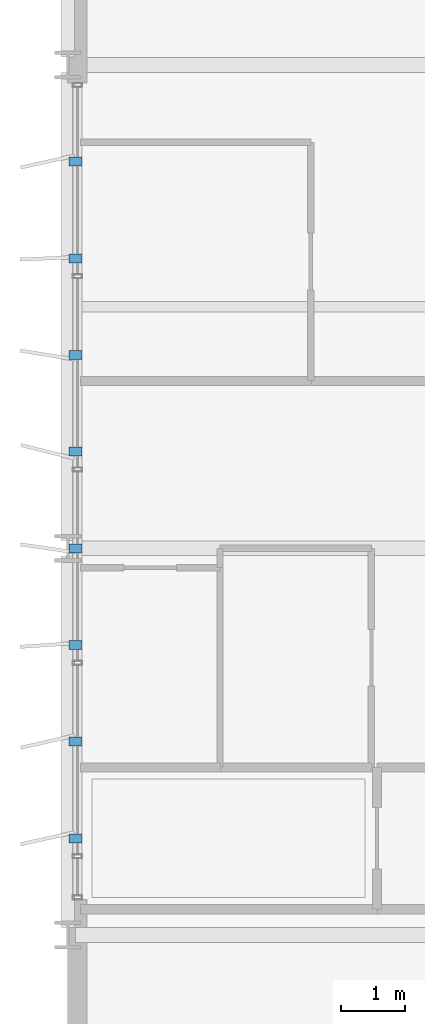
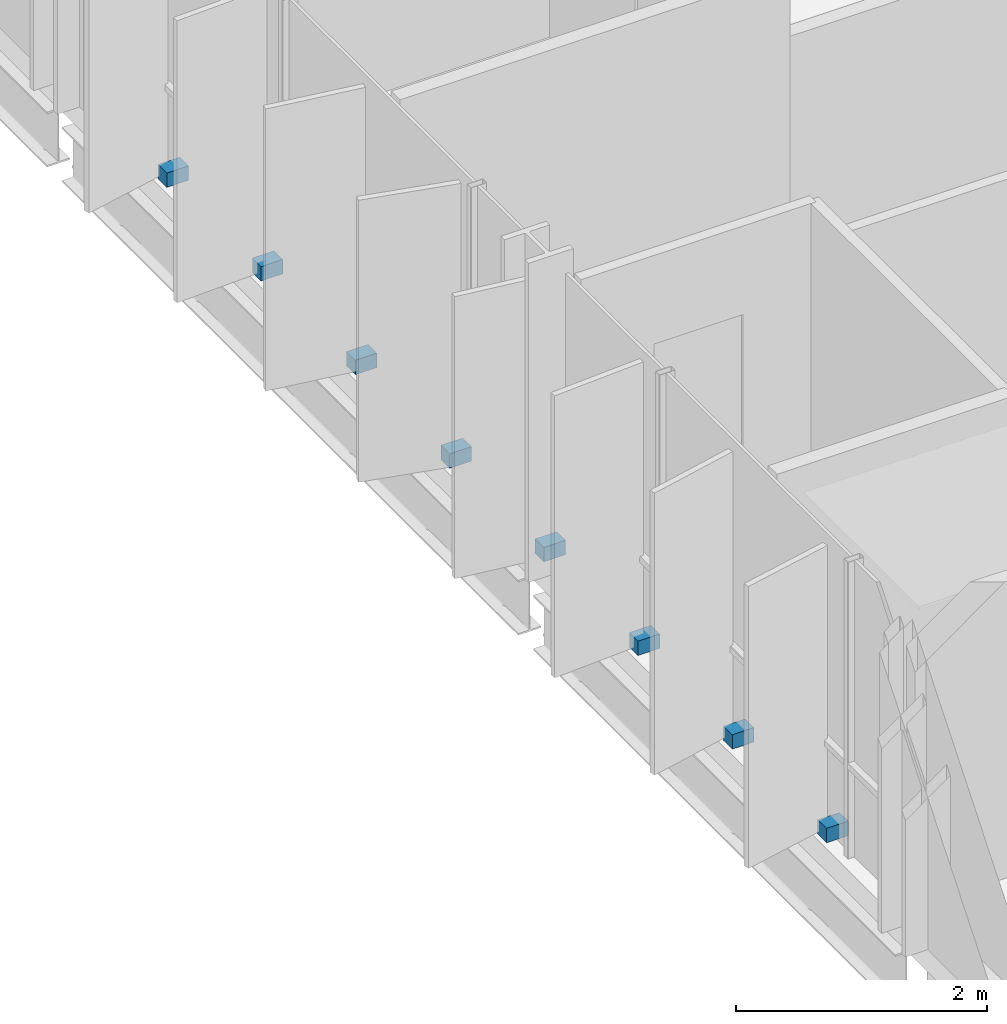
# One storey, part 34 of 39: 8 discrete accessories.
"""IFC4 building model written with IfcOpenShell, lengths in metres."""

from ifc_helpers import new_model, si_unit, direction, frame, origin, origin_2d, place, context, subcontext, project, spatial, rectangle, extrude, material, type_object, element, save


model = new_model("IFC4")

# Units and contexts
model_context = context("Model", 3, precision=1e-05, world=origin(), true_north=direction((0.0, 1.0)))
body_context = subcontext(model_context, "Body", "Model", "MODEL_VIEW")
ifc_project = project(units=[si_unit("LENGTHUNIT", "METRE"), si_unit("AREAUNIT", "SQUARE_METRE"), si_unit("VOLUMEUNIT", "CUBIC_METRE"), si_unit("PLANEANGLEUNIT", "RADIAN"), si_unit("MASSUNIT", "GRAM", prefix="KILO")], contexts=[model_context])

# Site, building, storey
site_placement = place(None, origin())
site = spatial("IfcSite", under=ifc_project, at=site_placement, CompositionType="ELEMENT")
building_placement = place(site_placement, origin())
building = spatial("IfcBuilding", under=site, at=building_placement, Name="Brevholm Reach", CompositionType="ELEMENT")
storey_placement = place(building_placement, frame((0.0, 0.0, 103.5)))
storey = spatial("IfcBuildingStorey", under=building, at=storey_placement, Name="L30", CompositionType="ELEMENT", Elevation=103.5)

# Discrete accessories
ifc_material = material(Name="Duplex Stainless Steel EN 1.4462", Category="steel")
discrete_accessory_type = type_object("IfcDiscreteAccessoryType", Name="ACC-BRK-01", PredefinedType="BRACKET", material=ifc_material)
for number, where, z_axis, x_axis, name in (
    (1, (0.1201171875, 11.5, 0.0302734375), (0.0, 0.0, 1.0), (-1.0, 0.0, 0.0), "L30 Solar Screen Support Bracket 1"),
    (2, (0.1201171875, 13.0, 0.0302734375), (0.0, 0.0, 1.0), (-1.0, 0.0, 0.0), "L30 Solar Screen Support Bracket 2"),
    (3, (0.1201171875, 14.5, 0.0302734375), (0.0, 0.0, 1.0), (-1.0, 0.0, 0.0), "L30 Solar Screen Support Bracket 3"),
    (4, (0.1201171875, 16.0, 0.0302734375), (0.0, 0.0, 1.0), (-1.0, 0.0, 0.0), "L30 Solar Screen Support Bracket 4"),
    (5, (0.1201171875, 17.5, 0.0302734375), (0.0, 0.0, 1.0), (-1.0, 0.0, 0.0), "L30 Solar Screen Support Bracket 5"),
    (6, (0.1201171875, 19.0, 0.0302734375), (0.0, 0.0, 1.0), (-1.0, 0.0, 0.0), "L30 Solar Screen Support Bracket 6"),
    (7, (0.1201171875, 20.5, 0.0302734375), (0.0, 0.0, 1.0), (-1.0, 0.0, 0.0), "L30 Solar Screen Support Bracket 7"),
    (8, (0.1201171875, 22.0, 0.0302734375), (0.0, 0.0, 1.0), (-1.0, 0.0, 0.0), "L30 Solar Screen Support Bracket 8"),
):
    element("IfcDiscreteAccessory", number, at=place(storey_placement, frame(where, z_axis=z_axis, x_axis=x_axis)), inside=storey, type_object=discrete_accessory_type, Name=name, PredefinedType="BRACKET", context=body_context, shape_type="SweptSolid", body=[
        extrude(rectangle(XDim=0.199951171875, YDim=0.139892578125, at=origin_2d()), origin(), (0.0, 0.0, 1.0), 0.139892578125),
    ])

save(model, "model.ifc")
